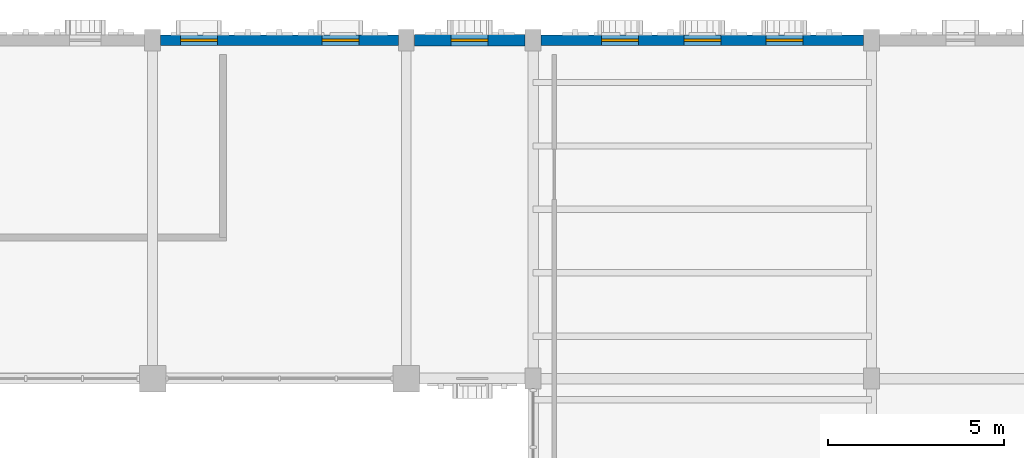
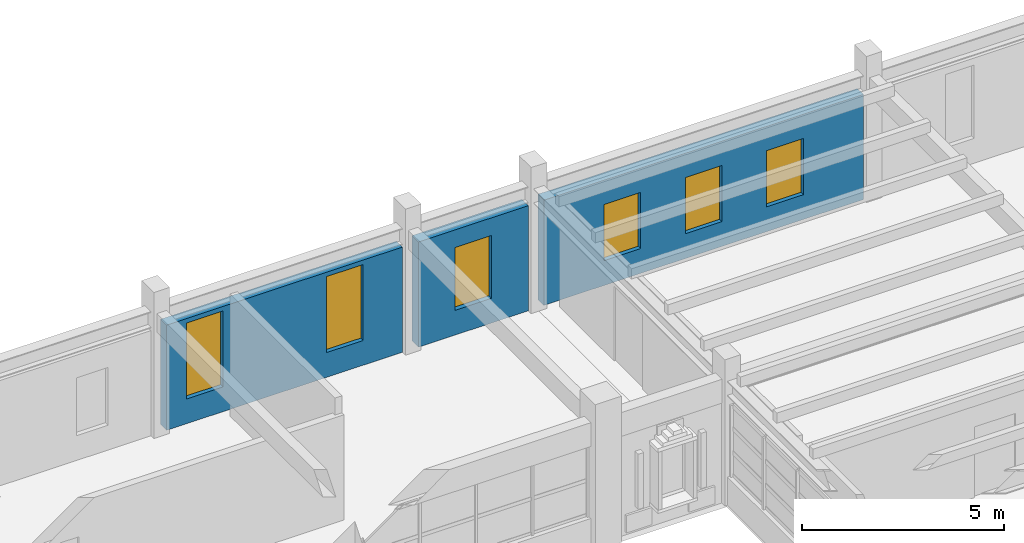
# One storey, part 48 of 69: 6 windows, 3 walls, 6 openings.
"""IFC4 building model written with IfcOpenShell, lengths in metres."""

from ifc_helpers import new_model, si_unit, direction, frame, frame_2d, origin, place, context, subcontext, project, spatial, rectangle, extrude, material, layer, layer_set, type_object, element, fill, save


model = new_model("IFC4")

# Units and contexts
model_context = context("Model", 3, precision=1e-05, world=origin(), true_north=direction((0.0, 1.0)))
body_context = subcontext(model_context, "Body", "Model", "MODEL_VIEW")
ifc_project = project(units=[si_unit("LENGTHUNIT", "METRE"), si_unit("AREAUNIT", "SQUARE_METRE"), si_unit("VOLUMEUNIT", "CUBIC_METRE"), si_unit("PLANEANGLEUNIT", "RADIAN"), si_unit("MASSUNIT", "GRAM", prefix="KILO")], contexts=[model_context])

# Site, building, storey
site_placement = place(None, origin())
site = spatial("IfcSite", under=ifc_project, at=site_placement, CompositionType="ELEMENT")
building_placement = place(site_placement, origin())
building = spatial("IfcBuilding", under=site, at=building_placement, Name="Nzembalo Square Collegiate School", CompositionType="ELEMENT")
storey_placement = place(building_placement, frame((0.0, 0.0, 5.10009765625)))
storey = spatial("IfcBuildingStorey", under=building, at=storey_placement, Name="L01", CompositionType="ELEMENT", Elevation=5.10009765625)

# Wall, opening, window
ifc_material_1 = material(Name="Concrete C35/45", Category="concrete")
ifc_layer_1 = layer(ifc_material_1, 0.320068359375, Name="Concrete C35/45")
ifc_layer_set_1 = layer_set([ifc_layer_1], Name="Concrete C35/45")
wall_type_1 = type_object("IfcWallType", Name="W03", PredefinedType="SOLIDWALL", material=ifc_layer_set_1)
wall_1_placement = place(storey_placement, frame((127.427001953125, 114.0, 0.0), z_axis=(0.0, 0.0, 1.0), x_axis=(1.0, 0.0, 0.0)))
wall_1 = element("IfcWall", 1, at=wall_1_placement, inside=storey, type_object=wall_type_1, Name="Exterior wall W03 L01", PredefinedType="SOLIDWALL", context=body_context, shape_type="SweptSolid", body=[
    extrude(rectangle(XDim=3.14599609375, YDim=0.320068359375, at=frame_2d((1.572998046875, 0.0))), origin(), (0.0, 0.0, 1.0), 3.183837890625),
])
opening_1_placement = place(wall_1_placement, frame((1.048095703125, 0.0, 0.75)))
opening_1 = element("IfcOpeningElement", 2, at=opening_1_placement, cuts=wall_1, Name="Opening WN-L01-308", PredefinedType="OPENING", context=body_context, shape_type="SweptSolid", body=[
    extrude(rectangle(XDim=1.050048828125, YDim=1.89990234375, at=frame_2d((0.52490234375, 0.949951171875))), frame((0.0, 0.169921875, 0.0), z_axis=(0.0, -1.0, 0.0), x_axis=(1.0, 0.0, 0.0)), (0.0, 0.0, 1.0), 0.340087890625),
])
ifc_material_2 = material(Name="Powder-coated aluminium and low-E double glazing", Category="aluminium")
window_type_1 = type_object("IfcWindowType", Name="WN13", PartitioningType="SINGLE_PANEL", PredefinedType="WINDOW", material=ifc_material_2)
window_1_placement = place(opening_1_placement, origin())
window_1 = element("IfcWindow", 3, at=window_1_placement, inside=storey, type_object=window_type_1, Name="Lancet window WN-L01-308", OverallHeight=1.89990234375, OverallWidth=1.050048828125, PartitioningType="SINGLE_PANEL", PredefinedType="WINDOW", context=body_context, shape_type="SweptSolid", body=[
    extrude(rectangle(XDim=1.050048828125, YDim=1.89990234375, at=frame_2d((0.52490234375, 0.949951171875))), frame((0.0, 0.030029296875, 0.0), z_axis=(0.0, -1.0, 0.0), x_axis=(1.0, 0.0, 0.0)), (0.0, 0.0, 1.0), 0.06005859375),
])
fill(opening_1, window_1)

# Wall, openings, windows
ifc_material_3 = material(Name="Concrete C35/45", Category="concrete")
ifc_layer_2 = layer(ifc_material_3, 0.300048828125, Name="Concrete C35/45")
ifc_layer_set_2 = layer_set([ifc_layer_2], Name="Concrete C35/45")
wall_type_2 = type_object("IfcWallType", Name="W04", PredefinedType="SOLIDWALL", material=ifc_layer_set_2)
wall_2_placement = place(storey_placement, frame((120.22705078125, 114.0, 0.0), z_axis=(0.0, 0.0, 1.0), x_axis=(1.0, 0.0, 0.0)))
wall_2 = element("IfcWall", 4, at=wall_2_placement, inside=storey, type_object=wall_type_2, Name="Exterior wall W04 L01", PredefinedType="SOLIDWALL", context=body_context, shape_type="SweptSolid", body=[
    extrude(rectangle(XDim=6.745849609375, YDim=0.300048828125, at=frame_2d((3.373046875, 0.0))), origin(), (0.0, 0.0, 1.0), 3.183837890625),
])
opening_2_placement = place(wall_2_placement, frame((0.56298828125, 0.0, 0.75)))
opening_2 = element("IfcOpeningElement", 5, at=opening_2_placement, cuts=wall_2, Name="Opening WN-L01-306", PredefinedType="OPENING", context=body_context, shape_type="SweptSolid", body=[
    extrude(rectangle(XDim=1.050048828125, YDim=2.300048828125, at=frame_2d((0.52490234375, 1.14990234375))), frame((0.0, 0.16015625, 0.0), z_axis=(0.0, -1.0, 0.0), x_axis=(1.0, 0.0, 0.0)), (0.0, 0.0, 1.0), 0.320068359375),
])
opening_3_placement = place(wall_2_placement, frame((4.576904296875, 0.0, 0.75)))
opening_3 = element("IfcOpeningElement", 6, at=opening_3_placement, cuts=wall_2, Name="Opening WN-L01-307", PredefinedType="OPENING", context=body_context, shape_type="SweptSolid", body=[
    extrude(rectangle(XDim=1.050048828125, YDim=2.300048828125, at=frame_2d((0.52490234375, 1.14990234375))), frame((0.0, 0.16015625, 0.0), z_axis=(0.0, -1.0, 0.0), x_axis=(1.0, 0.0, 0.0)), (0.0, 0.0, 1.0), 0.320068359375),
])
ifc_material_4 = material(Name="Powder-coated aluminium and low-E double glazing", Category="aluminium")
window_type_2 = type_object("IfcWindowType", Name="WN11", PartitioningType="SINGLE_PANEL", PredefinedType="WINDOW", material=ifc_material_4)
window_2_placement = place(opening_2_placement, origin())
window_2 = element("IfcWindow", 7, at=window_2_placement, inside=storey, type_object=window_type_2, Name="Lancet window WN-L01-306", OverallHeight=2.300048828125, OverallWidth=1.050048828125, PartitioningType="SINGLE_PANEL", PredefinedType="WINDOW", context=body_context, shape_type="SweptSolid", body=[
    extrude(rectangle(XDim=1.050048828125, YDim=2.300048828125, at=frame_2d((0.52490234375, 1.14990234375))), frame((0.0, 0.030029296875, 0.0), z_axis=(0.0, -1.0, 0.0), x_axis=(1.0, 0.0, 0.0)), (0.0, 0.0, 1.0), 0.06005859375),
])
fill(opening_2, window_2)
window_3_placement = place(opening_3_placement, origin())
window_3 = element("IfcWindow", 8, at=window_3_placement, inside=storey, type_object=window_type_2, Name="Lancet window WN-L01-307", OverallHeight=2.300048828125, OverallWidth=1.050048828125, PartitioningType="SINGLE_PANEL", PredefinedType="WINDOW", context=body_context, shape_type="SweptSolid", body=[
    extrude(rectangle(XDim=1.050048828125, YDim=2.300048828125, at=frame_2d((0.52490234375, 1.14990234375))), frame((0.0, 0.030029296875, 0.0), z_axis=(0.0, -1.0, 0.0), x_axis=(1.0, 0.0, 0.0)), (0.0, 0.0, 1.0), 0.06005859375),
])
fill(opening_3, window_3)

wall_3_placement = place(storey_placement, frame((131.027099609375, 114.0, 0.0), z_axis=(0.0, 0.0, 1.0), x_axis=(1.0, 0.0, 0.0)))
wall_3 = element("IfcWall", 9, at=wall_3_placement, inside=storey, type_object=wall_type_2, Name="Exterior wall W04 L01", PredefinedType="SOLIDWALL", context=body_context, shape_type="SweptSolid", body=[
    extrude(rectangle(XDim=9.14599609375, YDim=0.300048828125, at=frame_2d((4.572998046875, 0.0))), origin(), (0.0, 0.0, 1.0), 3.183837890625),
])
opening_4_placement = place(wall_3_placement, frame((1.718994140625, 0.0, 0.75)))
opening_4 = element("IfcOpeningElement", 10, at=opening_4_placement, cuts=wall_3, Name="Opening WN-L01-309", PredefinedType="OPENING", context=body_context, shape_type="SweptSolid", body=[
    extrude(rectangle(XDim=1.050048828125, YDim=1.699951171875, at=frame_2d((0.52490234375, 0.85009765625))), frame((0.0, 0.16015625, 0.0), z_axis=(0.0, -1.0, 0.0), x_axis=(1.0, 0.0, 0.0)), (0.0, 0.0, 1.0), 0.320068359375),
])
opening_5_placement = place(wall_3_placement, frame((4.048095703125, 0.0, 0.75)))
opening_5 = element("IfcOpeningElement", 11, at=opening_5_placement, cuts=wall_3, Name="Opening WN-L01-310", PredefinedType="OPENING", context=body_context, shape_type="SweptSolid", body=[
    extrude(rectangle(XDim=1.050048828125, YDim=1.699951171875, at=frame_2d((0.52490234375, 0.85009765625))), frame((0.0, 0.16015625, 0.0), z_axis=(0.0, -1.0, 0.0), x_axis=(1.0, 0.0, 0.0)), (0.0, 0.0, 1.0), 0.320068359375),
])
opening_6_placement = place(wall_3_placement, frame((6.376953125, 0.0, 0.75)))
opening_6 = element("IfcOpeningElement", 12, at=opening_6_placement, cuts=wall_3, Name="Opening WN-L01-311", PredefinedType="OPENING", context=body_context, shape_type="SweptSolid", body=[
    extrude(rectangle(XDim=1.050048828125, YDim=1.699951171875, at=frame_2d((0.52490234375, 0.85009765625))), frame((0.0, 0.16015625, 0.0), z_axis=(0.0, -1.0, 0.0), x_axis=(1.0, 0.0, 0.0)), (0.0, 0.0, 1.0), 0.320068359375),
])
ifc_material_5 = material(Name="Powder-coated aluminium and low-E double glazing", Category="aluminium")
window_type_3 = type_object("IfcWindowType", Name="WN14", PartitioningType="SINGLE_PANEL", PredefinedType="WINDOW", material=ifc_material_5)
window_4_placement = place(opening_4_placement, origin())
window_4 = element("IfcWindow", 13, at=window_4_placement, inside=storey, type_object=window_type_3, Name="Lancet window WN-L01-309", OverallHeight=1.699951171875, OverallWidth=1.050048828125, PartitioningType="SINGLE_PANEL", PredefinedType="WINDOW", context=body_context, shape_type="SweptSolid", body=[
    extrude(rectangle(XDim=1.050048828125, YDim=1.699951171875, at=frame_2d((0.52490234375, 0.85009765625))), frame((0.0, 0.030029296875, 0.0), z_axis=(0.0, -1.0, 0.0), x_axis=(1.0, 0.0, 0.0)), (0.0, 0.0, 1.0), 0.06005859375),
])
fill(opening_4, window_4)
window_5_placement = place(opening_5_placement, origin())
window_5 = element("IfcWindow", 14, at=window_5_placement, inside=storey, type_object=window_type_3, Name="Lancet window WN-L01-310", OverallHeight=1.699951171875, OverallWidth=1.050048828125, PartitioningType="SINGLE_PANEL", PredefinedType="WINDOW", context=body_context, shape_type="SweptSolid", body=[
    extrude(rectangle(XDim=1.050048828125, YDim=1.699951171875, at=frame_2d((0.52490234375, 0.85009765625))), frame((0.0, 0.030029296875, 0.0), z_axis=(0.0, -1.0, 0.0), x_axis=(1.0, 0.0, 0.0)), (0.0, 0.0, 1.0), 0.06005859375),
])
fill(opening_5, window_5)
window_6_placement = place(opening_6_placement, origin())
window_6 = element("IfcWindow", 15, at=window_6_placement, inside=storey, type_object=window_type_3, Name="Lancet window WN-L01-311", OverallHeight=1.699951171875, OverallWidth=1.050048828125, PartitioningType="SINGLE_PANEL", PredefinedType="WINDOW", context=body_context, shape_type="SweptSolid", body=[
    extrude(rectangle(XDim=1.050048828125, YDim=1.699951171875, at=frame_2d((0.52490234375, 0.85009765625))), frame((0.0, 0.030029296875, 0.0), z_axis=(0.0, -1.0, 0.0), x_axis=(1.0, 0.0, 0.0)), (0.0, 0.0, 1.0), 0.06005859375),
])
fill(opening_6, window_6)

save(model, "model.ifc")
